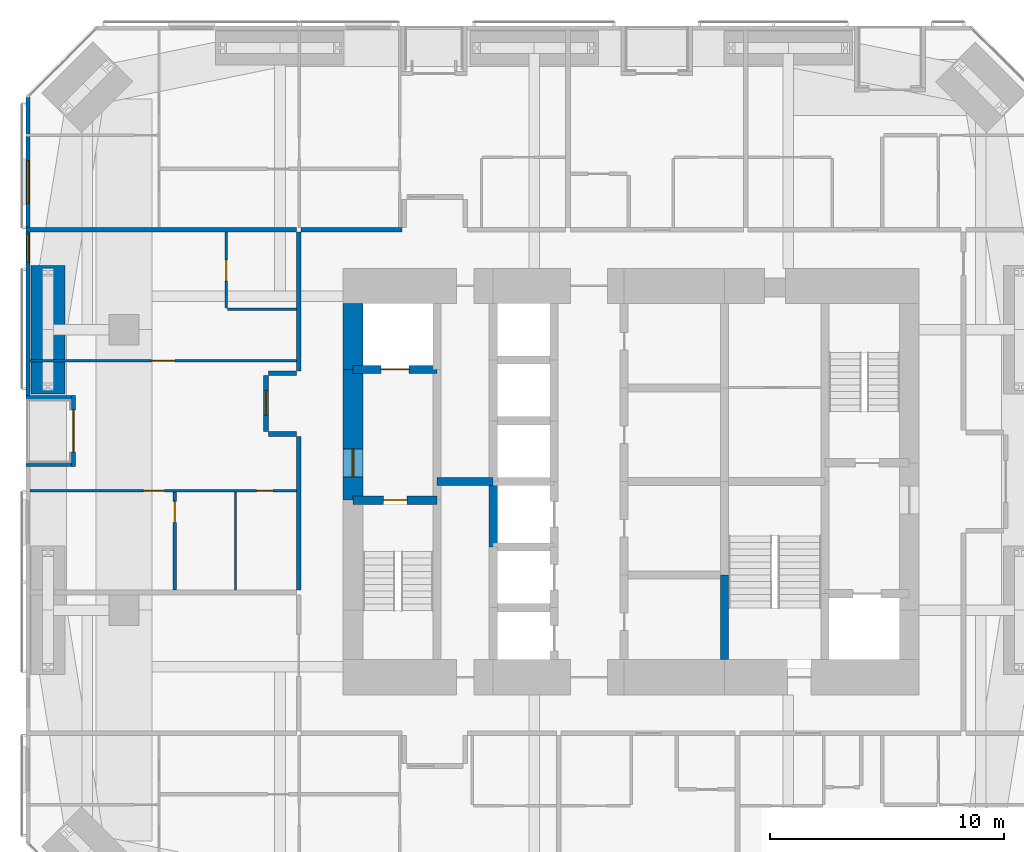
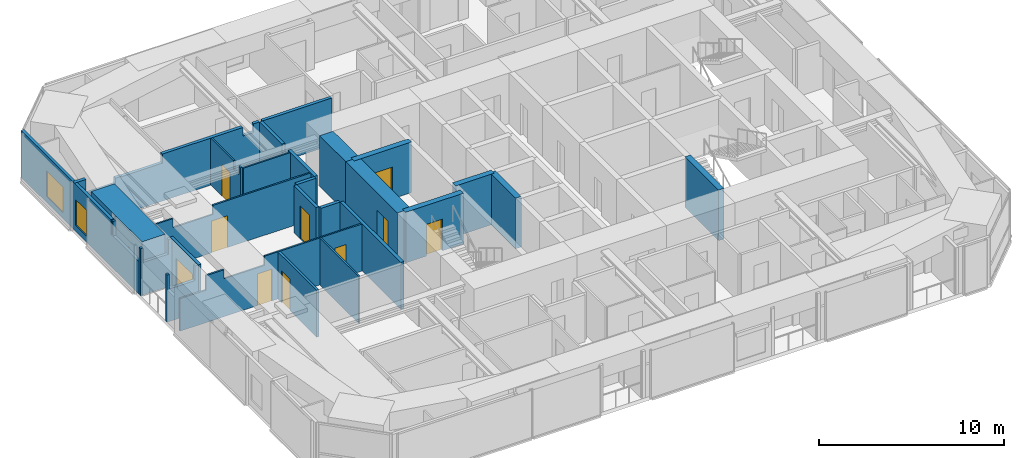
# One storey, part 19 of 25: 25 walls, 10 doors, 2 windows, 12 openings.
"""IFC4 building model written with IfcOpenShell, lengths in metres."""

from ifc_helpers import new_model, si_unit, direction, frame, frame_2d, origin, place, context, subcontext, project, spatial, polyline, rectangle, outline, extrude, material, layer, layer_set, constituent, constituent_set, type_object, element, fill, save


model = new_model("IFC4")

# Units and contexts
model_context = context("Model", 3, precision=1e-05, world=origin(), true_north=direction((0.0, 1.0)))
body_context = subcontext(model_context, "Body", "Model", "MODEL_VIEW")
ifc_project = project(units=[si_unit("LENGTHUNIT", "METRE"), si_unit("AREAUNIT", "SQUARE_METRE"), si_unit("VOLUMEUNIT", "CUBIC_METRE"), si_unit("PLANEANGLEUNIT", "RADIAN"), si_unit("MASSUNIT", "GRAM", prefix="KILO")], contexts=[model_context])

# Site, building, storey
site_placement = place(None, origin())
site = spatial("IfcSite", under=ifc_project, at=site_placement, CompositionType="ELEMENT")
building_placement = place(site_placement, origin())
building = spatial("IfcBuilding", under=site, at=building_placement, Name="Jalousie Tower", CompositionType="ELEMENT")
storey_placement = place(building_placement, frame((0.0, 0.0, 101.5)))
storey = spatial("IfcBuildingStorey", under=building, at=storey_placement, Name="L27", CompositionType="ELEMENT", Elevation=101.5)

# Wall, opening, door
ifc_material_1 = material(Name="Concrete block ASTM C90", Category="concrete")
ifc_constituent_1 = constituent(ifc_material_1, Name="Body")
ifc_material_2 = material(Name="Render")
ifc_constituent_2 = constituent(ifc_material_2, Name="Finish")
ifc_constituent_set_1 = constituent_set(constituents=[ifc_constituent_1, ifc_constituent_2])
wall_type_1 = type_object("IfcWallType", Name="BATHROOM WALL 150", PredefinedType="PLUMBINGWALL", material=ifc_constituent_set_1)
wall_1_placement = place(storey_placement, frame((12.375, 13.85009765625, 0.0), z_axis=(0.0, 0.0, 1.0), x_axis=(0.0, 1.0, 0.0)))
wall_1 = element("IfcWall", 1, at=wall_1_placement, inside=storey, type_object=wall_type_1, Name="Bathroom Wall 150 L27", PredefinedType="PLUMBINGWALL", context=body_context, shape_type="SweptSolid", body=[
    extrude(rectangle(XDim=4.199951171875, YDim=0.14990234375, at=frame_2d((2.10009765625, 0.0))), origin(), (0.0, 0.0, 1.0), 3.110107421875),
])
opening_1_placement = place(wall_1_placement, frame((2.89990234375, 0.0, 0.0)))
opening_1 = element("IfcOpeningElement", 2, at=opening_1_placement, cuts=wall_1, Name="Opening D3", PredefinedType="OPENING", context=body_context, shape_type="SweptSolid", body=[
    extrude(rectangle(XDim=0.89990234375, YDim=2.10009765625, at=frame_2d((0.449951171875, 1.050048828125))), frame((0.0, 0.0849609375, 0.0), z_axis=(0.0, -1.0, 0.0), x_axis=(1.0, 0.0, 0.0)), (0.0, 0.0, 1.0), 0.169921875),
])
ifc_material_3 = material(Name="Timber door", Category="wood")
door_type_1 = type_object("IfcDoorType", Name="BATHROOM DOOR 900", OperationType="SINGLE_SWING_LEFT", PredefinedType="DOOR", material=ifc_material_3)
door_1_placement = place(opening_1_placement, frame((0.89990234375, 0.0, 0.0), z_axis=(0.0, 0.0, 1.0), x_axis=(-1.0, 0.0, 0.0)))
door_1 = element("IfcDoor", 3, at=door_1_placement, inside=storey, type_object=door_type_1, Name="Apartment 2707 bedroom 1 bathroom door", OperationType="SINGLE_SWING_LEFT", OverallHeight=2.10009765625, OverallWidth=0.89990234375, PredefinedType="DOOR", context=body_context, shape_type="SweptSolid", body=[
    extrude(rectangle(XDim=0.89990234375, YDim=2.10009765625, at=frame_2d((0.449951171875, 1.050048828125))), frame((0.0, 0.02490234375, 0.0), z_axis=(0.0, -1.0, 0.0), x_axis=(1.0, 0.0, 0.0)), (0.0, 0.0, 1.0), 0.050048828125),
])
fill(opening_1, door_1)

# Walls
ifc_material_4 = material(Name="Concrete f'c 120 MPa", Category="concrete")
ifc_layer_1 = layer(ifc_material_4, 0.35009765625)
ifc_layer_set_1 = layer_set([ifc_layer_1], Name="Concrete f'c 120 MPa")
wall_type_2 = type_object("IfcWallType", Name="CORE WALL 350", PredefinedType="SHEAR", material=ifc_layer_set_1)
wall_2_placement = place(storey_placement, frame((26.0, 15.699951171875, 0.0), z_axis=(0.0, 0.0, 1.0), x_axis=(0.0, 1.0, 0.0)))
element("IfcWall", 4, at=wall_2_placement, inside=storey, type_object=wall_type_2, Name="Core wall X26C L27", PredefinedType="SHEAR", context=body_context, shape_type="SweptSolid", body=[
    extrude(rectangle(XDim=2.800048828125, YDim=0.35009765625, at=frame_2d((1.39990234375, 0.0))), origin(), (0.0, 0.0, 1.0), 3.35009765625),
])
wall_3_placement = place(storey_placement, frame((35.89990234375, 10.875, 0.0), z_axis=(0.0, 0.0, 1.0), x_axis=(0.0, 1.0, 0.0)))
element("IfcWall", 5, at=wall_3_placement, inside=storey, type_object=wall_type_2, Name="Core wall X35.9A L27", PredefinedType="SHEAR", context=body_context, shape_type="SweptSolid", body=[
    extrude(rectangle(XDim=3.625, YDim=0.35009765625, at=frame_2d((1.8125, 0.0))), origin(), (0.0, 0.0, 1.0), 3.35009765625),
])

# Wall, opening, door
wall_4_placement = place(storey_placement, frame((20.0, 17.699951171875, 0.0), z_axis=(0.0, 0.0, 1.0), x_axis=(1.0, 0.0, 0.0)))
wall_4 = element("IfcWall", 6, at=wall_4_placement, inside=storey, type_object=wall_type_2, Name="Core wall Y20-17.7 L27", PredefinedType="SHEAR", context=body_context, shape_type="SweptSolid", body=[
    extrude(rectangle(XDim=3.60009765625, YDim=0.35009765625, at=frame_2d((1.800048828125, 0.0))), origin(), (0.0, 0.0, 1.0), 3.35009765625),
])
opening_2_placement = place(wall_4_placement, frame((1.300048828125, 0.0, 0.0)))
opening_2 = element("IfcOpeningElement", 7, at=opening_2_placement, cuts=wall_4, Name="Opening D10", PredefinedType="OPENING", context=body_context, shape_type="SweptSolid", body=[
    extrude(rectangle(XDim=1.0, YDim=2.10009765625, at=frame_2d((0.5, 1.050048828125))), frame((0.0, 0.18505859375, 0.0), z_axis=(0.0, -1.0, 0.0), x_axis=(1.0, 0.0, 0.0)), (0.0, 0.0, 1.0), 0.3701171875),
])
ifc_material_5 = material(Name="Steel fire door", Category="steel")
door_type_2 = type_object("IfcDoorType", Name="STAIR DOOR 1000", OperationType="SINGLE_SWING_LEFT", PredefinedType="DOOR", material=ifc_material_5)
door_2_placement = place(opening_2_placement, frame((1.0, 0.0, 0.0), z_axis=(0.0, 0.0, 1.0), x_axis=(-1.0, 0.0, 0.0)))
door_2 = element("IfcDoor", 8, at=door_2_placement, inside=storey, type_object=door_type_2, Name="Exit stair A door", OperationType="SINGLE_SWING_RIGHT", OverallHeight=2.10009765625, OverallWidth=1.0, PredefinedType="DOOR", context=body_context, shape_type="SweptSolid", body=[
    extrude(rectangle(XDim=1.0, YDim=2.10009765625, at=frame_2d((0.5, 1.050048828125))), frame((0.0, 0.02490234375, 0.0), z_axis=(0.0, -1.0, 0.0), x_axis=(1.0, 0.0, 0.0)), (0.0, 0.0, 1.0), 0.050048828125),
])
fill(opening_2, door_2)

wall_5_placement = place(storey_placement, frame((20.0, 23.300048828125, 0.0), z_axis=(0.0, 0.0, 1.0), x_axis=(1.0, 0.0, 0.0)))
wall_5 = element("IfcWall", 9, at=wall_5_placement, inside=storey, type_object=wall_type_2, Name="Core wall Y20-23.3 L27", PredefinedType="SHEAR", context=body_context, shape_type="SweptSolid", body=[
    extrude(rectangle(XDim=3.60009765625, YDim=0.35009765625, at=frame_2d((1.800048828125, 0.0))), origin(), (0.0, 0.0, 1.0), 3.35009765625),
])
opening_3_placement = place(wall_5_placement, frame((1.199951171875, 0.0, 0.0)))
opening_3 = element("IfcOpeningElement", 10, at=opening_3_placement, cuts=wall_5, Name="Opening LD2", PredefinedType="OPENING", context=body_context, shape_type="SweptSolid", body=[
    extrude(rectangle(XDim=1.199951171875, YDim=2.10009765625, at=frame_2d((0.60009765625, 1.050048828125))), frame((0.0, 0.18505859375, 0.0), z_axis=(0.0, -1.0, 0.0), x_axis=(1.0, 0.0, 0.0)), (0.0, 0.0, 1.0), 0.3701171875),
])
ifc_material_6 = material(Name="Steel lift landing door", Category="steel")
door_type_3 = type_object("IfcDoorType", Name="LIFT LANDING DOOR 1200", OperationType="SLIDING_TO_LEFT", PredefinedType="DOOR", material=ifc_material_6)
door_3_placement = place(opening_3_placement, origin())
door_3 = element("IfcDoor", 11, at=door_3_placement, inside=storey, type_object=door_type_3, Name="Lift F1 landing door", OperationType="SLIDING_TO_LEFT", OverallHeight=2.10009765625, OverallWidth=1.199951171875, PredefinedType="DOOR", context=body_context, shape_type="SweptSolid", body=[
    extrude(rectangle(XDim=1.199951171875, YDim=2.10009765625, at=frame_2d((0.60009765625, 1.050048828125))), frame((0.0, 0.02490234375, 0.0), z_axis=(0.0, -1.0, 0.0), x_axis=(1.0, 0.0, 0.0)), (0.0, 0.0, 1.0), 0.050048828125),
])
fill(opening_3, door_3)

# Walls
wall_6_placement = place(storey_placement, frame((23.60009765625, 18.5, 0.0), z_axis=(0.0, 0.0, 1.0), x_axis=(1.0, 0.0, 0.0)))
element("IfcWall", 12, at=wall_6_placement, inside=storey, type_object=wall_type_2, Name="Core wall Y23.6-18.5 L27", PredefinedType="SHEAR", context=body_context, shape_type="SweptSolid", body=[
    extrude(rectangle(XDim=2.39990234375, YDim=0.35009765625, at=frame_2d((1.199951171875, 0.0))), origin(), (0.0, 0.0, 1.0), 3.35009765625),
])
ifc_material_7 = material(Name="Concrete f'c 120 MPa", Category="concrete")
ifc_layer_2 = layer(ifc_material_7, 0.85009765625)
ifc_layer_set_2 = layer_set([ifc_layer_2], Name="Concrete f'c 120 MPa")
wall_type_3 = type_object("IfcWallType", Name="CORE WALL 850", PredefinedType="SHEAR", material=ifc_layer_set_2)
wall_7_placement = place(storey_placement, frame((20.0, 26.125, 0.0), z_axis=(0.0, 0.0, 1.0), x_axis=(0.0, -1.0, 0.0)))
element("IfcWall", 13, at=wall_7_placement, inside=storey, type_object=wall_type_3, Name="Core wall WA L27", PredefinedType="SHEAR", context=body_context, shape_type="SweptSolid", body=[
    extrude(rectangle(XDim=2.824951171875, YDim=0.85009765625, at=frame_2d((1.41259765625, 0.0))), origin(), (0.0, 0.0, 1.0), 3.35009765625),
])

# Wall, opening, door
wall_8_placement = place(storey_placement, frame((20.0, 23.300048828125, 0.0), z_axis=(0.0, 0.0, 1.0), x_axis=(0.0, -1.0, 0.0)))
wall_8 = element("IfcWall", 14, at=wall_8_placement, inside=storey, type_object=wall_type_3, Name="Core wall WB L27", PredefinedType="SHEAR", context=body_context, shape_type="SweptSolid", body=[
    extrude(rectangle(XDim=5.60009765625, YDim=0.85009765625, at=frame_2d((2.800048828125, 0.0))), origin(), (0.0, 0.0, 1.0), 3.35009765625),
])
opening_4_placement = place(wall_8_placement, frame((3.39990234375, 0.0, 0.0)))
opening_4 = element("IfcOpeningElement", 15, at=opening_4_placement, cuts=wall_8, Name="Opening D11", PredefinedType="OPENING", context=body_context, shape_type="SweptSolid", body=[
    extrude(rectangle(XDim=1.199951171875, YDim=2.199951171875, at=frame_2d((0.60009765625, 1.10009765625))), frame((0.0, 0.43505859375, 0.0), z_axis=(0.0, -1.0, 0.0), x_axis=(1.0, 0.0, 0.0)), (0.0, 0.0, 1.0), 0.8701171875),
])
ifc_material_8 = material(Name="Steel fire door", Category="steel")
door_type_4 = type_object("IfcDoorType", Name="FIRE DOOR 1200", OperationType="SINGLE_SWING_LEFT", PredefinedType="DOOR", material=ifc_material_8)
door_4_placement = place(opening_4_placement, origin())
door_4 = element("IfcDoor", 16, at=door_4_placement, inside=storey, type_object=door_type_4, Name="Fire-fighting lobby A door", OperationType="SINGLE_SWING_RIGHT", OverallHeight=2.199951171875, OverallWidth=1.199951171875, PredefinedType="DOOR", context=body_context, shape_type="SweptSolid", body=[
    extrude(rectangle(XDim=1.199951171875, YDim=2.199951171875, at=frame_2d((0.60009765625, 1.10009765625))), frame((0.0, 0.02490234375, 0.0), z_axis=(0.0, -1.0, 0.0), x_axis=(1.0, 0.0, 0.0)), (0.0, 0.0, 1.0), 0.050048828125),
])
fill(opening_4, door_4)

# Walls
ifc_material_9 = material(Name="Concrete block ASTM C90", Category="concrete")
ifc_constituent_3 = constituent(ifc_material_9, Name="Body")
ifc_material_10 = material(Name="Render")
ifc_constituent_4 = constituent(ifc_material_10, Name="Finish")
ifc_constituent_set_2 = constituent_set(constituents=[ifc_constituent_3, ifc_constituent_4])
wall_type_4 = type_object("IfcWallType", Name="CORRIDOR WALL 200", PredefinedType="PARTITIONING", material=ifc_constituent_set_2)
wall_9_placement = place(storey_placement, frame((17.77490234375, 29.27490234375, 0.0), z_axis=(0.0, 0.0, 1.0), x_axis=(1.0, 0.0, 0.0)))
element("IfcWall", 17, at=wall_9_placement, inside=storey, type_object=wall_type_4, Name="Corridor Wall 200 L27", PredefinedType="PARTITIONING", context=body_context, shape_type="SweptSolid", body=[
    extrude(rectangle(XDim=4.3251953125, YDim=0.199951171875, at=frame_2d((2.16259765625, 0.0))), origin(), (0.0, 0.0, 1.0), 3.110107421875),
])
wall_10_placement = place(storey_placement, frame((17.675048828125, 13.85009765625, 0.0), z_axis=(0.0, 0.0, 1.0), x_axis=(0.0, 1.0, 0.0)))
element("IfcWall", 18, at=wall_10_placement, inside=storey, type_object=wall_type_4, Name="Corridor Wall 200 L27", PredefinedType="PARTITIONING", context=body_context, shape_type="SweptSolid", body=[
    extrude(rectangle(XDim=6.58740234375, YDim=0.199951171875, at=frame_2d((3.293701171875, 0.0))), origin(), (0.0, 0.0, 1.0), 3.110107421875),
])
wall_11_placement = place(storey_placement, frame((17.675048828125, 23.237548828125, 0.0), z_axis=(0.0, 0.0, 1.0), x_axis=(0.0, 1.0, 0.0)))
element("IfcWall", 19, at=wall_11_placement, inside=storey, type_object=wall_type_4, Name="Corridor Wall 200 L27", PredefinedType="PARTITIONING", context=body_context, shape_type="SweptSolid", body=[
    extrude(outline(polyline([(0.0, 0.0), (5.9375, 0.0), (5.9375, 3.110107421875), (3.52490234375, 3.110107421875), (3.52490234375, 2.541015625), (2.85009765625, 2.541015625), (2.85009765625, 3.110107421875), (0.0, 3.110107421875), (0.0, 0.0)])), frame((0.0, 0.10009765625, 0.0), z_axis=(0.0, -1.0, 0.0), x_axis=(1.0, 0.0, 0.0)), (0.0, 0.0, 1.0), 0.199951171875),
])

# Wall, opening, door
wall_12_placement = place(storey_placement, frame((16.27490234375, 20.637451171875, 0.0), z_axis=(0.0, 0.0, 1.0), x_axis=(0.0, 1.0, 0.0)))
wall_12 = element("IfcWall", 20, at=wall_12_placement, inside=storey, type_object=wall_type_4, Name="Corridor Wall 200 L27", PredefinedType="PARTITIONING", context=body_context, shape_type="SweptSolid", body=[
    extrude(rectangle(XDim=2.400146484375, YDim=0.199951171875, at=frame_2d((1.2001953125, 0.0))), origin(), (0.0, 0.0, 1.0), 3.110107421875),
])
opening_5_placement = place(wall_12_placement, frame((0.699951171875, 0.0, 0.0)))
opening_5 = element("IfcOpeningElement", 21, at=opening_5_placement, cuts=wall_12, Name="Opening D1", PredefinedType="OPENING", context=body_context, shape_type="SweptSolid", body=[
    extrude(rectangle(XDim=1.050048828125, YDim=2.199951171875, at=frame_2d((0.52490234375, 1.10009765625))), frame((0.0, 0.10986328125, 0.0), z_axis=(0.0, -1.0, 0.0), x_axis=(1.0, 0.0, 0.0)), (0.0, 0.0, 1.0), 0.219970703125),
])
ifc_material_11 = material(Name="Timber fire door", Category="wood")
door_type_5 = type_object("IfcDoorType", Name="APARTMENT ENTRANCE DOOR 1050", OperationType="SINGLE_SWING_LEFT", PredefinedType="DOOR", material=ifc_material_11)
door_5_placement = place(opening_5_placement, origin())
door_5 = element("IfcDoor", 22, at=door_5_placement, inside=storey, type_object=door_type_5, Name="Apartment 2707 entrance", OperationType="SINGLE_SWING_RIGHT", OverallHeight=2.199951171875, OverallWidth=1.050048828125, PredefinedType="DOOR", context=body_context, shape_type="SweptSolid", body=[
    extrude(rectangle(XDim=1.050048828125, YDim=2.199951171875, at=frame_2d((0.52490234375, 1.10009765625))), frame((0.0, 0.02490234375, 0.0), z_axis=(0.0, -1.0, 0.0), x_axis=(1.0, 0.0, 0.0)), (0.0, 0.0, 1.0), 0.050048828125),
])
fill(opening_5, door_5)

# Walls
for number, where, z_axis, x_axis, name in (
    (23, (17.574951171875, 20.53759765625, 0.0), (0.0, 0.0, 1.0), (-1.0, 0.0, 0.0), "Corridor Wall 200 L27"),
    (24, (17.574951171875, 23.137451171875, 0.0), (0.0, 0.0, 1.0), (-1.0, 0.0, 0.0), "Corridor Wall 200 L27"),
):
    element("IfcWall", number, at=place(storey_placement, frame(where, z_axis=z_axis, x_axis=x_axis)), inside=storey, type_object=wall_type_4, Name=name, PredefinedType="PARTITIONING", context=body_context, shape_type="SweptSolid", body=[
        extrude(rectangle(XDim=1.199951171875, YDim=0.199951171875, at=frame_2d((0.60009765625, 0.0))), origin(), (0.0, 0.0, 1.0), 3.110107421875),
    ])

# Wall, openings, windows
ifc_material_12 = material(Name="Concrete f'c 40 MPa", Category="concrete")
ifc_constituent_5 = constituent(ifc_material_12, Name="Body")
ifc_material_13 = material(Name="Render, pastel sea green")
ifc_constituent_6 = constituent(ifc_material_13, Name="Finish")
ifc_constituent_set_3 = constituent_set(constituents=[ifc_constituent_5, ifc_constituent_6])
wall_type_5 = type_object("IfcWallType", Name="EXTERNAL WALL 175 SEA GREEN RENDER", PredefinedType="SOLIDWALL", material=ifc_constituent_set_3)
wall_13_placement = place(storey_placement, frame((6.08740234375, 34.94873046875, 0.0), z_axis=(0.0, 0.0, 1.0), x_axis=(0.0, -1.0, 0.0)))
wall_13 = element("IfcWall", 25, at=wall_13_placement, inside=storey, type_object=wall_type_5, Name="External Wall 175 Sea Green Render L27", PredefinedType="SOLIDWALL", context=body_context, shape_type="SweptSolid", body=[
    extrude(outline(polyline([(0.0, 0.0), (12.76123046875, 0.0), (12.76123046875, 2.14990234375), (9.94873046875, 2.14990234375), (9.94873046875, 3.110107421875), (9.822998046875, 3.110107421875), (9.822998046875, 2.14990234375), (9.72998046875, 2.14990234375), (9.72998046875, 3.110107421875), (0.0, 3.110107421875), (0.0, 0.0)])), frame((0.0, 0.08740234375, 0.0), z_axis=(0.0, -1.0, 0.0), x_axis=(1.0, 0.0, 0.0)), (0.0, 0.0, 1.0), 0.175048828125),
])
opening_6_placement = place(wall_13_placement, frame((2.72412109375, 0.0, 0.39990234375)))
opening_6 = element("IfcOpeningElement", 26, at=opening_6_placement, cuts=wall_13, Name="Opening W-BED170", PredefinedType="OPENING", context=body_context, shape_type="SweptSolid", body=[
    extrude(rectangle(XDim=1.800048828125, YDim=1.699951171875, at=frame_2d((0.89990234375, 0.85009765625))), frame((0.0, 0.097412109375, 0.0), z_axis=(0.0, -1.0, 0.0), x_axis=(1.0, 0.0, 0.0)), (0.0, 0.0, 1.0), 0.195068359375),
])
opening_7_placement = place(wall_13_placement, frame((5.873779296875, 0.0, 0.39990234375)))
opening_7 = element("IfcOpeningElement", 27, at=opening_7_placement, cuts=wall_13, Name="Opening W-COR170", PredefinedType="OPENING", context=body_context, shape_type="SweptSolid", body=[
    extrude(rectangle(XDim=1.199951171875, YDim=1.699951171875, at=frame_2d((0.60009765625, 0.85009765625))), frame((0.0, 0.097412109375, 0.0), z_axis=(0.0, -1.0, 0.0), x_axis=(1.0, 0.0, 0.0)), (0.0, 0.0, 1.0), 0.195068359375),
])
ifc_material_14 = material(Name="Aluminium frame, impact-rated glazing", Category="aluminium")
window_type_1 = type_object("IfcWindowType", Name="WINDOW BED 1800x1700", PartitioningType="SINGLE_PANEL", PredefinedType="WINDOW", material=ifc_material_14)
window_1_placement = place(opening_6_placement, origin())
window_1 = element("IfcWindow", 28, at=window_1_placement, inside=storey, type_object=window_type_1, Name="Apartment 2704 bedroom 1 window", OverallHeight=1.699951171875, OverallWidth=1.800048828125, PartitioningType="SINGLE_PANEL", PredefinedType="WINDOW", context=body_context, shape_type="SweptSolid", body=[
    extrude(rectangle(XDim=1.800048828125, YDim=1.699951171875, at=frame_2d((0.89990234375, 0.85009765625))), frame((0.0, 0.030029296875, 0.0), z_axis=(0.0, -1.0, 0.0), x_axis=(1.0, 0.0, 0.0)), (0.0, 0.0, 1.0), 0.06005859375),
])
fill(opening_6, window_1)
ifc_material_15 = material(Name="Aluminium frame, impact-rated glazing", Category="aluminium")
window_type_2 = type_object("IfcWindowType", Name="WINDOW COR 1200x1700", PartitioningType="SINGLE_PANEL", PredefinedType="WINDOW", material=ifc_material_15)
window_2_placement = place(opening_7_placement, origin())
window_2 = element("IfcWindow", 29, at=window_2_placement, inside=storey, type_object=window_type_2, Name="Apartment 2707 dining room window", OverallHeight=1.699951171875, OverallWidth=1.199951171875, PartitioningType="SINGLE_PANEL", PredefinedType="WINDOW", context=body_context, shape_type="SweptSolid", body=[
    extrude(rectangle(XDim=1.199951171875, YDim=1.699951171875, at=frame_2d((0.60009765625, 0.85009765625))), frame((0.0, 0.030029296875, 0.0), z_axis=(0.0, -1.0, 0.0), x_axis=(1.0, 0.0, 0.0)), (0.0, 0.0, 1.0), 0.06005859375),
])
fill(opening_7, window_2)

# Wall, opening, door
wall_14_placement = place(storey_placement, frame((8.03759765625, 22.1875, 0.0), z_axis=(0.0, 0.0, 1.0), x_axis=(0.0, -1.0, 0.0)))
wall_14 = element("IfcWall", 30, at=wall_14_placement, inside=storey, type_object=wall_type_5, Name="External Wall 175 Sea Green Render L27", PredefinedType="SOLIDWALL", context=body_context, shape_type="SweptSolid", body=[
    extrude(rectangle(XDim=3.050048828125, YDim=0.175048828125, at=frame_2d((1.52490234375, 0.0))), origin(), (0.0, 0.0, 1.0), 3.110107421875),
])
opening_8_placement = place(wall_14_placement, frame((0.625, 0.0, 0.0)))
opening_8 = element("IfcOpeningElement", 31, at=opening_8_placement, cuts=wall_14, Name="Opening D-BAL21", PredefinedType="OPENING", context=body_context, shape_type="SweptSolid", body=[
    extrude(rectangle(XDim=1.800048828125, YDim=2.10009765625, at=frame_2d((0.89990234375, 1.050048828125))), frame((0.0, 0.097412109375, 0.0), z_axis=(0.0, -1.0, 0.0), x_axis=(1.0, 0.0, 0.0)), (0.0, 0.0, 1.0), 0.195068359375),
])
ifc_material_16 = material(Name="Aluminium frame, impact-rated glazing", Category="aluminium")
door_type_6 = type_object("IfcDoorType", Name="BALCONY DOOR 1800x2100", OperationType="SLIDING_TO_LEFT", PredefinedType="DOOR", material=ifc_material_16)
door_6_placement = place(opening_8_placement, origin())
door_6 = element("IfcDoor", 32, at=door_6_placement, inside=storey, type_object=door_type_6, Name="Apartment 2707 living room loggia door", OperationType="SLIDING_TO_LEFT", OverallHeight=2.10009765625, OverallWidth=1.800048828125, PredefinedType="DOOR", context=body_context, shape_type="SweptSolid", body=[
    extrude(rectangle(XDim=1.800048828125, YDim=2.10009765625, at=frame_2d((0.89990234375, 1.050048828125))), frame((0.0, 0.02490234375, 0.0), z_axis=(0.0, -1.0, 0.0), x_axis=(1.0, 0.0, 0.0)), (0.0, 0.0, 1.0), 0.050048828125),
])
fill(opening_8, door_6)

# Walls
for number, where, z_axis, x_axis, name in (
    (33, (6.0, 22.10009765625, 0.0), (0.0, 0.0, 1.0), (1.0, 0.0, 0.0), "External Wall 175 Sea Green Render L27"),
    (34, (6.0, 19.22509765625, 0.0), (0.0, 0.0, 1.0), (1.0, 0.0, 0.0), "External Wall 175 Sea Green Render L27"),
):
    element("IfcWall", number, at=place(storey_placement, frame(where, z_axis=z_axis, x_axis=x_axis)), inside=storey, type_object=wall_type_5, Name=name, PredefinedType="SOLIDWALL", context=body_context, shape_type="SweptSolid", body=[
        extrude(outline(polyline([(0.0, 0.0), (1.949951171875, 0.0), (1.949951171875, 3.110107421875), (1.75, 3.110107421875), (1.75, 2.14990234375), (0.14990234375, 2.14990234375), (0.14990234375, 3.110107421875), (0.0, 3.110107421875), (0.0, 0.0)])), frame((0.0, 0.08740234375, 0.0), z_axis=(0.0, -1.0, 0.0), x_axis=(1.0, 0.0, 0.0)), (0.0, 0.0, 1.0), 0.175048828125),
    ])

# Wall, openings, doors
ifc_material_17 = material(Name="Gypsum board", Category="gypsum")
ifc_constituent_7 = constituent(ifc_material_17, Name="Body")
ifc_material_18 = material(Name="Light-gauge steel studs ASTM A653 SS Grade 33", Category="steel")
ifc_constituent_8 = constituent(ifc_material_18, Name="Framing")
ifc_constituent_set_4 = constituent_set(constituents=[ifc_constituent_7, ifc_constituent_8])
wall_type_6 = type_object("IfcWallType", Name="PARTITION 100", PredefinedType="PARTITIONING", material=ifc_constituent_set_4)
wall_15_placement = place(storey_placement, frame((6.175048828125, 18.10009765625, 0.0), z_axis=(0.0, 0.0, 1.0), x_axis=(1.0, 0.0, 0.0)))
wall_15 = element("IfcWall", 35, at=wall_15_placement, inside=storey, type_object=wall_type_6, Name="Partition 100 L27", PredefinedType="PARTITIONING", context=body_context, shape_type="SweptSolid", body=[
    extrude(outline(polyline([(0.0, 0.0), (11.39990234375, 0.0), (11.39990234375, 3.110107421875), (5.284912109375, 3.110107421875), (5.284912109375, 2.510009765625), (2.764892578125, 2.510009765625), (2.764892578125, 3.110107421875), (1.635009765625, 3.110107421875), (1.635009765625, 2.14990234375), (0.0, 2.14990234375), (0.0, 3.110107421875), (0.0, 0.0)])), frame((0.0, 0.050048828125, 0.0), z_axis=(0.0, -1.0, 0.0), x_axis=(1.0, 0.0, 0.0)), (0.0, 0.0, 1.0), 0.10009765625),
])
opening_9_placement = place(wall_15_placement, frame((4.85009765625, 0.0, 0.0)))
opening_9 = element("IfcOpeningElement", 36, at=opening_9_placement, cuts=wall_15, Name="Opening D2", PredefinedType="OPENING", context=body_context, shape_type="SweptSolid", body=[
    extrude(rectangle(XDim=0.89990234375, YDim=2.10009765625, at=frame_2d((0.449951171875, 1.050048828125))), frame((0.0, 0.06005859375, 0.0), z_axis=(0.0, -1.0, 0.0), x_axis=(1.0, 0.0, 0.0)), (0.0, 0.0, 1.0), 0.1201171875),
])
opening_10_placement = place(wall_15_placement, frame((9.699951171875, 0.0, 0.0)))
opening_10 = element("IfcOpeningElement", 37, at=opening_10_placement, cuts=wall_15, Name="Opening D4", PredefinedType="OPENING", context=body_context, shape_type="SweptSolid", body=[
    extrude(rectangle(XDim=0.699951171875, YDim=2.10009765625, at=frame_2d((0.35009765625, 1.050048828125))), frame((0.0, 0.06005859375, 0.0), z_axis=(0.0, -1.0, 0.0), x_axis=(1.0, 0.0, 0.0)), (0.0, 0.0, 1.0), 0.1201171875),
])
ifc_material_19 = material(Name="Timber door", Category="wood")
door_type_7 = type_object("IfcDoorType", Name="BEDROOM DOOR 900", OperationType="SINGLE_SWING_LEFT", PredefinedType="DOOR", material=ifc_material_19)
door_7_placement = place(opening_9_placement, frame((0.89990234375, 0.0, 0.0), z_axis=(0.0, 0.0, 1.0), x_axis=(-1.0, 0.0, 0.0)))
door_7 = element("IfcDoor", 38, at=door_7_placement, inside=storey, type_object=door_type_7, Name="Apartment 2707 bedroom 1 door", OperationType="SINGLE_SWING_LEFT", OverallHeight=2.10009765625, OverallWidth=0.89990234375, PredefinedType="DOOR", context=body_context, shape_type="SweptSolid", body=[
    extrude(rectangle(XDim=0.89990234375, YDim=2.10009765625, at=frame_2d((0.449951171875, 1.050048828125))), frame((0.0, 0.02490234375, 0.0), z_axis=(0.0, -1.0, 0.0), x_axis=(1.0, 0.0, 0.0)), (0.0, 0.0, 1.0), 0.050048828125),
])
fill(opening_9, door_7)
ifc_material_20 = material(Name="Timber door", Category="wood")
door_type_8 = type_object("IfcDoorType", Name="STORE DOOR 700", OperationType="SINGLE_SWING_LEFT", PredefinedType="DOOR", material=ifc_material_20)
door_8_placement = place(opening_10_placement, frame((0.699951171875, 0.0, 0.0), z_axis=(0.0, 0.0, 1.0), x_axis=(-1.0, 0.0, 0.0)))
door_8 = element("IfcDoor", 39, at=door_8_placement, inside=storey, type_object=door_type_8, Name="Apartment 2707 store door", OperationType="SINGLE_SWING_RIGHT", OverallHeight=2.10009765625, OverallWidth=0.699951171875, PredefinedType="DOOR", context=body_context, shape_type="SweptSolid", body=[
    extrude(rectangle(XDim=0.699951171875, YDim=2.10009765625, at=frame_2d((0.35009765625, 1.050048828125))), frame((0.0, 0.02490234375, 0.0), z_axis=(0.0, -1.0, 0.0), x_axis=(1.0, 0.0, 0.0)), (0.0, 0.0, 1.0), 0.050048828125),
])
fill(opening_10, door_8)

# Wall
wall_16_placement = place(storey_placement, frame((14.97509765625, 13.85009765625, 0.0), z_axis=(0.0, 0.0, 1.0), x_axis=(0.0, 1.0, 0.0)))
element("IfcWall", 40, at=wall_16_placement, inside=storey, type_object=wall_type_6, Name="Partition 100 L27", PredefinedType="PARTITIONING", context=body_context, shape_type="SweptSolid", body=[
    extrude(rectangle(XDim=4.199951171875, YDim=0.10009765625, at=frame_2d((2.10009765625, 0.0))), origin(), (0.0, 0.0, 1.0), 3.110107421875),
])

# Wall, opening, door
wall_17_placement = place(storey_placement, frame((14.574951171875, 25.925048828125, 0.0), z_axis=(0.0, 0.0, 1.0), x_axis=(0.0, 1.0, 0.0)))
wall_17 = element("IfcWall", 41, at=wall_17_placement, inside=storey, type_object=wall_type_6, Name="Partition 100 L27", PredefinedType="PARTITIONING", context=body_context, shape_type="SweptSolid", body=[
    extrude(outline(polyline([(0.0, 0.0), (3.25, 0.0), (3.25, 3.110107421875), (0.787353515625, 3.110107421875), (0.787353515625, 2.541015625), (0.212646484375, 2.541015625), (0.212646484375, 3.110107421875), (0.0, 3.110107421875), (0.0, 0.0)])), frame((0.0, 0.050048828125, 0.0), z_axis=(0.0, -1.0, 0.0), x_axis=(1.0, 0.0, 0.0)), (0.0, 0.0, 1.0), 0.10009765625),
])
opening_11_placement = place(wall_17_placement, frame((1.14990234375, 0.0, 0.0)))
opening_11 = element("IfcOpeningElement", 42, at=opening_11_placement, cuts=wall_17, Name="Opening D7", PredefinedType="OPENING", context=body_context, shape_type="SweptSolid", body=[
    extrude(rectangle(XDim=0.89990234375, YDim=2.10009765625, at=frame_2d((0.449951171875, 1.050048828125))), frame((0.0, 0.06005859375, 0.0), z_axis=(0.0, -1.0, 0.0), x_axis=(1.0, 0.0, 0.0)), (0.0, 0.0, 1.0), 0.1201171875),
])
ifc_material_21 = material(Name="Timber door", Category="wood")
door_type_9 = type_object("IfcDoorType", Name="INTERNAL DOOR 900", OperationType="SINGLE_SWING_LEFT", PredefinedType="DOOR", material=ifc_material_21)
door_9_placement = place(opening_11_placement, origin())
door_9 = element("IfcDoor", 43, at=door_9_placement, inside=storey, type_object=door_type_9, Name="Apartment 2707 kitchen door", OperationType="SINGLE_SWING_RIGHT", OverallHeight=2.10009765625, OverallWidth=0.89990234375, PredefinedType="DOOR", context=body_context, shape_type="SweptSolid", body=[
    extrude(rectangle(XDim=0.89990234375, YDim=2.10009765625, at=frame_2d((0.449951171875, 1.050048828125))), frame((0.0, 0.02490234375, 0.0), z_axis=(0.0, -1.0, 0.0), x_axis=(1.0, 0.0, 0.0)), (0.0, 0.0, 1.0), 0.050048828125),
])
fill(opening_11, door_9)

# Wall
wall_18_placement = place(storey_placement, frame((14.625, 25.875, 0.0), z_axis=(0.0, 0.0, 1.0), x_axis=(1.0, 0.0, 0.0)))
element("IfcWall", 44, at=wall_18_placement, inside=storey, type_object=wall_type_6, Name="Partition 100 L27", PredefinedType="PARTITIONING", context=body_context, shape_type="SweptSolid", body=[
    extrude(rectangle(XDim=2.949951171875, YDim=0.10009765625, at=frame_2d((1.47509765625, 0.0))), origin(), (0.0, 0.0, 1.0), 3.110107421875),
])

# Wall, opening, door
wall_19_placement = place(storey_placement, frame((6.175048828125, 23.66259765625, 0.0), z_axis=(0.0, 0.0, 1.0), x_axis=(1.0, 0.0, 0.0)))
wall_19 = element("IfcWall", 45, at=wall_19_placement, inside=storey, type_object=wall_type_6, Name="Partition 100 L27", PredefinedType="PARTITIONING", context=body_context, shape_type="SweptSolid", body=[
    extrude(outline(polyline([(0.52880859375, 2.14990234375), (0.0, 2.14990234375), (0.0, 0.0), (0.52880859375, 0.0), (0.52880859375, 0.555419921875), (1.021240234375, 0.555419921875), (1.021240234375, 0.0), (11.39990234375, 0.0), (11.39990234375, 3.110107421875), (5.284912109375, 3.110107421875), (5.284912109375, 2.510009765625), (2.764892578125, 2.510009765625), (2.764892578125, 3.110107421875), (1.635009765625, 3.110107421875), (1.635009765625, 2.14990234375), (1.021240234375, 2.14990234375), (1.021240234375, 1.594482421875), (0.52880859375, 1.594482421875), (0.52880859375, 2.14990234375)])), frame((0.0, 0.050048828125, 0.0), z_axis=(0.0, -1.0, 0.0), x_axis=(1.0, 0.0, 0.0)), (0.0, 0.0, 1.0), 0.10009765625),
])
opening_12_placement = place(wall_19_placement, frame((5.199951171875, 0.0, 0.0)))
opening_12 = element("IfcOpeningElement", 46, at=opening_12_placement, cuts=wall_19, Name="Opening D6", PredefinedType="OPENING", context=body_context, shape_type="SweptSolid", body=[
    extrude(rectangle(XDim=1.0, YDim=2.10009765625, at=frame_2d((0.5, 1.050048828125))), frame((0.0, 0.06005859375, 0.0), z_axis=(0.0, -1.0, 0.0), x_axis=(1.0, 0.0, 0.0)), (0.0, 0.0, 1.0), 0.1201171875),
])
ifc_material_22 = material(Name="Timber door", Category="wood")
door_type_10 = type_object("IfcDoorType", Name="INTERNAL DOOR 1000", OperationType="SINGLE_SWING_LEFT", PredefinedType="DOOR", material=ifc_material_22)
door_10_placement = place(opening_12_placement, origin())
door_10 = element("IfcDoor", 47, at=door_10_placement, inside=storey, type_object=door_type_10, Name="Apartment 2707 dining room door", OperationType="SINGLE_SWING_RIGHT", OverallHeight=2.10009765625, OverallWidth=1.0, PredefinedType="DOOR", context=body_context, shape_type="SweptSolid", body=[
    extrude(rectangle(XDim=1.0, YDim=2.10009765625, at=frame_2d((0.5, 1.050048828125))), frame((0.0, 0.02490234375, 0.0), z_axis=(0.0, -1.0, 0.0), x_axis=(1.0, 0.0, 0.0)), (0.0, 0.0, 1.0), 0.050048828125),
])
fill(opening_12, door_10)

# Walls
ifc_material_23 = material(Name="Concrete block ASTM C90", Category="concrete")
ifc_constituent_9 = constituent(ifc_material_23, Name="Body")
ifc_material_24 = material(Name="Render")
ifc_constituent_10 = constituent(ifc_material_24, Name="Finish")
ifc_constituent_set_5 = constituent_set(constituents=[ifc_constituent_9, ifc_constituent_10])
wall_type_7 = type_object("IfcWallType", Name="PARTY WALL 200", PredefinedType="PARTITIONING", material=ifc_constituent_set_5)
wall_20_placement = place(storey_placement, frame((6.0, 29.27490234375, 0.0), z_axis=(0.0, 0.0, 1.0), x_axis=(1.0, 0.0, 0.0)))
element("IfcWall", 48, at=wall_20_placement, inside=storey, type_object=wall_type_7, Name="Party Wall 200 L27", PredefinedType="PARTITIONING", context=body_context, shape_type="SweptSolid", body=[
    extrude(outline(polyline([(0.0, 0.0), (11.574951171875, 0.0), (11.574951171875, 3.110107421875), (11.21240234375, 3.110107421875), (11.21240234375, 2.541015625), (10.53759765625, 2.541015625), (10.53759765625, 3.110107421875), (5.510009765625, 3.110107421875), (5.510009765625, 2.510009765625), (2.96875, 2.510009765625), (2.96875, 2.541015625), (2.565185546875, 2.541015625), (2.565185546875, 2.14990234375), (0.721435546875, 2.14990234375), (0.721435546875, 3.110107421875), (0.0, 3.110107421875), (0.0, 0.0)])), frame((0.0, 0.10009765625, 0.0), z_axis=(0.0, -1.0, 0.0), x_axis=(1.0, 0.0, 0.0)), (0.0, 0.0, 1.0), 0.199951171875),
])
ifc_material_25 = material(Name="Concrete f'c 120 MPa", Category="concrete")
ifc_layer_3 = layer(ifc_material_25, 1.449951171875)
ifc_layer_set_3 = layer_set([ifc_layer_3], Name="Concrete f'c 120 MPa")
wall_type_8 = type_object("IfcWallType", Name="RC WALL PIER 1450", PredefinedType="SHEAR", material=ifc_layer_set_3)
wall_21_placement = place(storey_placement, frame((6.949951171875, 22.25, 0.0), z_axis=(0.0, 0.0, 1.0), x_axis=(0.0, 1.0, 0.0)))
element("IfcWall", 49, at=wall_21_placement, inside=storey, type_object=wall_type_8, Name="Wall pier 13 L27", PredefinedType="SHEAR", context=body_context, shape_type="SweptSolid", body=[
    extrude(rectangle(XDim=5.5, YDim=1.449951171875, at=frame_2d((2.75, 0.0))), origin(), (0.0, 0.0, 1.0), 3.35009765625),
])

save(model, "model.ifc")
